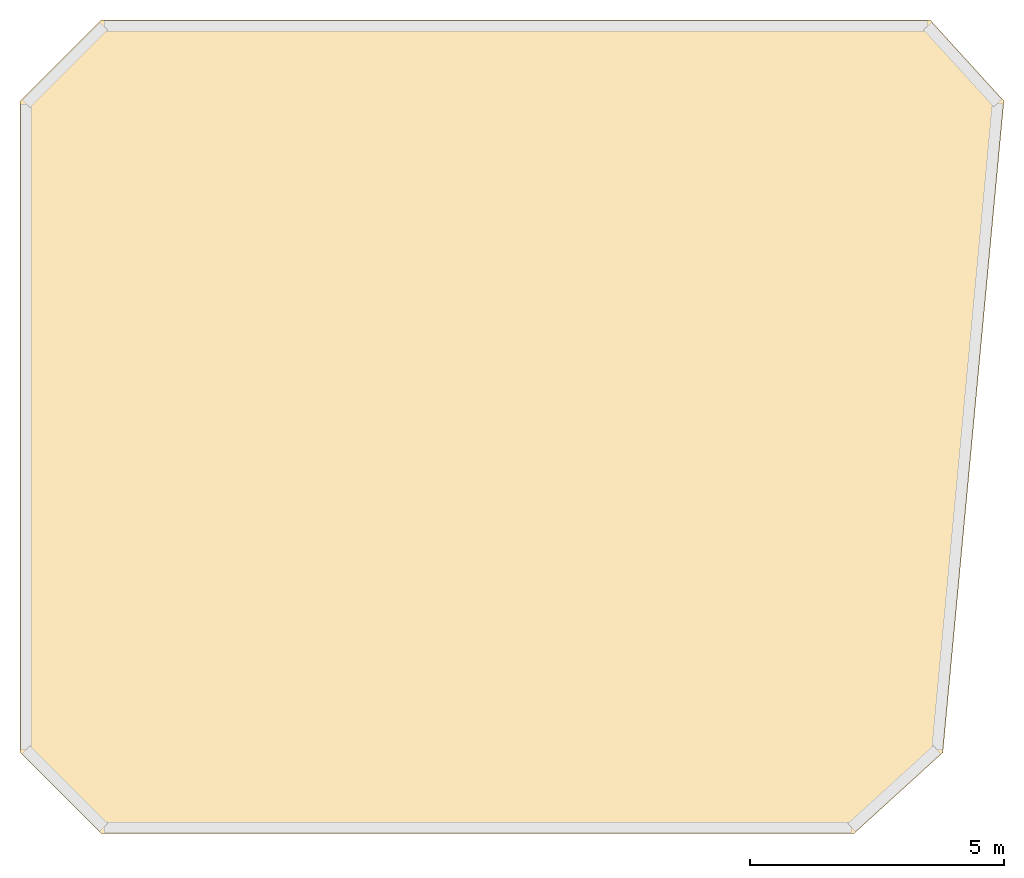
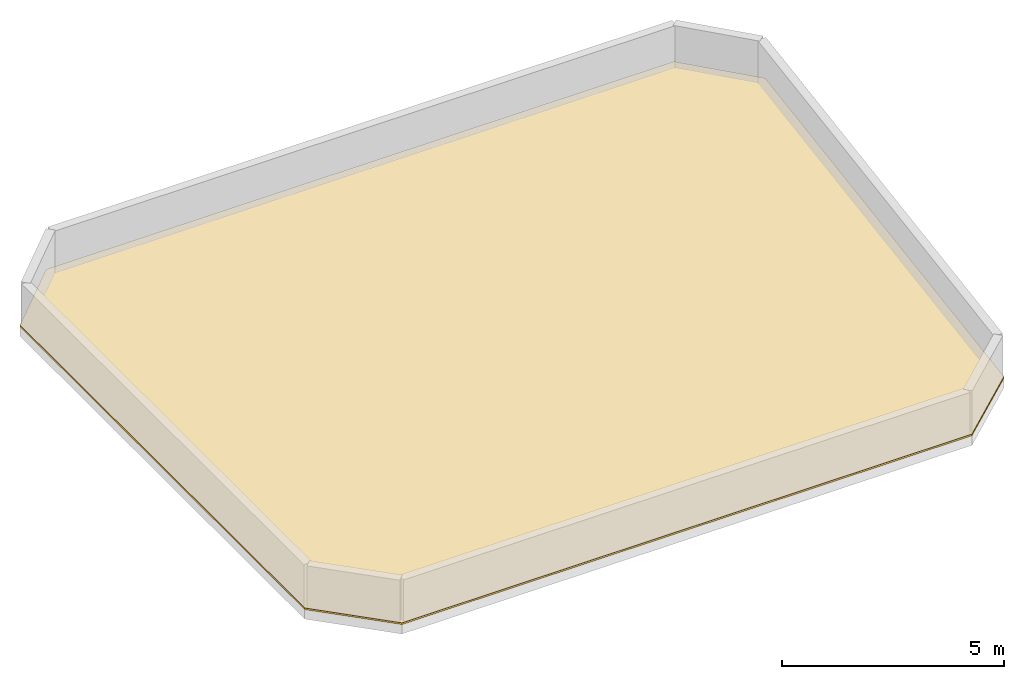
# One storey, part 2 of 2: 1 covering.
"""IFC4 building model written with IfcOpenShell, lengths in metres."""

from ifc_helpers import new_model, si_unit, direction, frame, origin, place, context, subcontext, project, spatial, polyline, outline, extrude, material, layer, layer_set, type_object, element, save


model = new_model("IFC4")

# Units and contexts
model_context = context("Model", 3, precision=1e-05, world=origin(), true_north=direction((0.0, 1.0)))
body_context = subcontext(model_context, "Body", "Model", "MODEL_VIEW")
ifc_project = project(units=[si_unit("LENGTHUNIT", "METRE"), si_unit("AREAUNIT", "SQUARE_METRE"), si_unit("VOLUMEUNIT", "CUBIC_METRE"), si_unit("PLANEANGLEUNIT", "RADIAN"), si_unit("MASSUNIT", "GRAM", prefix="KILO")], contexts=[model_context])

# Site, building, storey
site_placement = place(None, origin())
site = spatial("IfcSite", under=ifc_project, at=site_placement, CompositionType="ELEMENT")
building_placement = place(site_placement, origin())
building = spatial("IfcBuilding", under=site, at=building_placement, Name="Kravanh Interchange Tower", CompositionType="ELEMENT")
storey_placement = place(building_placement, frame((0.0, 0.0, 337.199951171875)))
storey = spatial("IfcBuildingStorey", under=building, at=storey_placement, Name="ROOF", CompositionType="ELEMENT", Elevation=337.199951171875)

# Covering
ifc_material = material(Name="SBS Modified Bitumen and XPS Insulation")
ifc_layer = layer(ifc_material, 0.044921875)
ifc_layer_set = layer_set([ifc_layer], Name="Insulated Waterproof Roofing Membrane 45mm")
covering_type = type_object("IfcCoveringType", Name="Insulated Waterproof Roofing Membrane 45mm", PredefinedType="ROOFING", material=ifc_layer_set)
covering_placement = place(storey_placement, origin())
element("IfcCovering", 1, at=covering_placement, inside=storey, type_object=covering_type, Name="L83 Top Crown Waterproof Roofing Membrane", PredefinedType="ROOFING", context=body_context, shape_type="SweptSolid", body=[
    extrude(outline(polyline([(49.5, 33.60009765625), (51.10009765625, 32.0), (65.89990234375, 32.0), (67.6494140625, 33.593017578125), (68.8505859375, 46.406982421875), (67.39990234375, 48.0), (51.10009765625, 48.0), (49.5, 46.39990234375), (49.5, 33.60009765625)])), origin(), (0.0, 0.0, 1.0), 0.045166015625),
])

save(model, "model.ifc")
